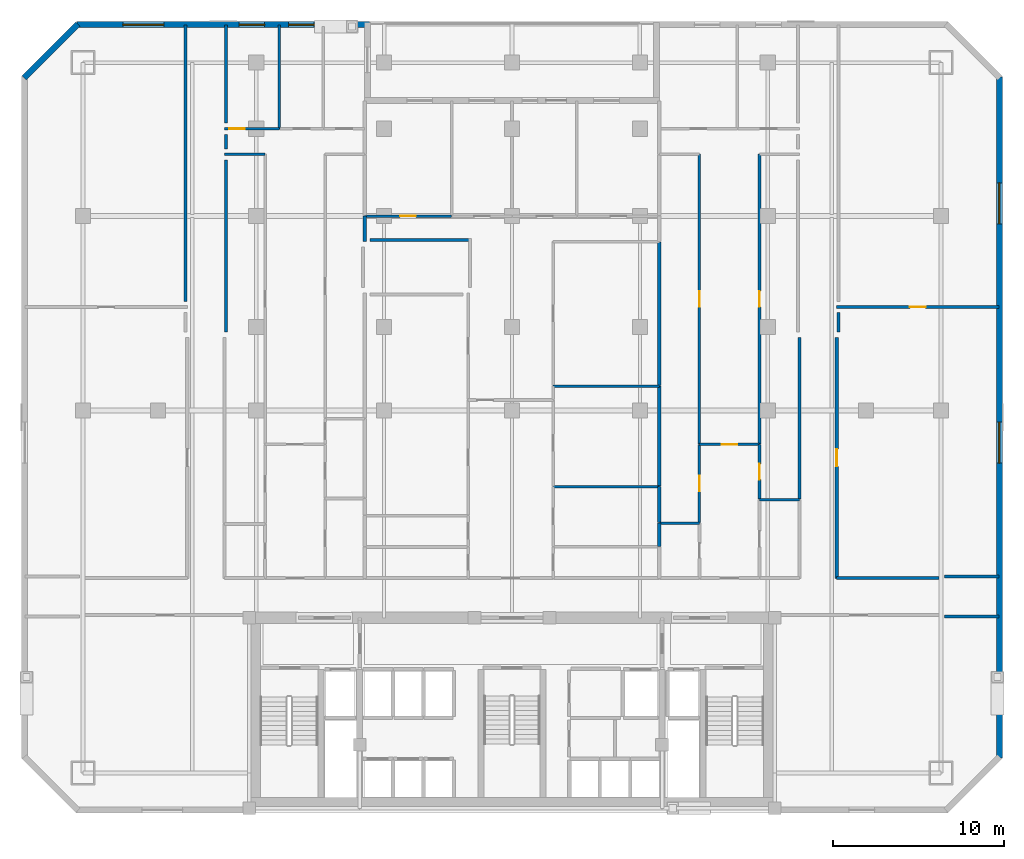
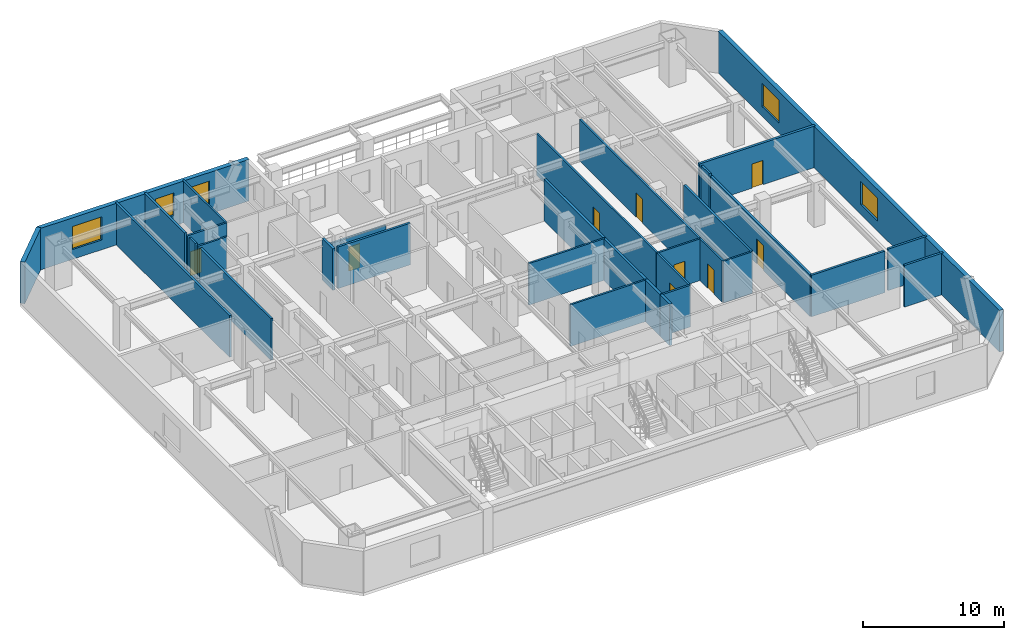
# One storey, part 6 of 9: 33 walls, 9 doors, 5 windows, 14 openings.
"""IFC4 building model written with IfcOpenShell, lengths in metres."""

from ifc_helpers import new_model, si_unit, direction, frame, frame_2d, origin, place, context, subcontext, project, spatial, rectangle, extrude, material, layer, layer_set, type_object, element, fill, save


model = new_model("IFC4")

# Units and contexts
model_context = context("Model", 3, precision=1e-05, world=origin(), true_north=direction((0.0, 1.0)))
body_context = subcontext(model_context, "Body", "Model", "MODEL_VIEW")
ifc_project = project(units=[si_unit("LENGTHUNIT", "METRE"), si_unit("AREAUNIT", "SQUARE_METRE"), si_unit("VOLUMEUNIT", "CUBIC_METRE"), si_unit("PLANEANGLEUNIT", "RADIAN"), si_unit("MASSUNIT", "GRAM", prefix="KILO")], contexts=[model_context])

# Site, building, storey
site_placement = place(None, origin())
site = spatial("IfcSite", under=ifc_project, at=site_placement, CompositionType="ELEMENT")
building_placement = place(site_placement, origin())
building = spatial("IfcBuilding", under=site, at=building_placement, Name="Ventersveld Concourse Tower", CompositionType="ELEMENT")
storey_placement = place(building_placement, frame((0.0, 0.0, 68.300048828125)))
storey = spatial("IfcBuildingStorey", under=building, at=storey_placement, Name="L16", CompositionType="ELEMENT", Elevation=68.300048828125)

# Wall, opening, door
ifc_material_1 = material(Name="Fire-rated autoclaved aerated masonry blockwork", Category="masonry")
ifc_layer_1 = layer(ifc_material_1, 0.179931640625)
ifc_layer_set_1 = layer_set([ifc_layer_1], Name="Fire-rated autoclaved aerated masonry blockwork")
wall_type_1 = type_object("IfcWallType", Name="WL-CORR-180", PredefinedType="PARTITIONING", material=ifc_layer_set_1)
wall_1_placement = place(storey_placement, frame((47.7900390625, 13.764892578125, 0.0), z_axis=(0.0, 0.0, 1.0), x_axis=(0.0, 1.0, 0.0)))
wall_1 = element("IfcWall", 1, at=wall_1_placement, inside=storey, type_object=wall_type_1, Name="L16 Interior Partition SP-L16-COR-SP-L16-NELNG1", PredefinedType="PARTITIONING", context=body_context, shape_type="SweptSolid", body=[
    extrude(rectangle(XDim=14.130126953125, YDim=0.179931640625, at=frame_2d((7.06494140625, 0.0))), origin(), (0.0, 0.0, 1.0), 3.599853515625),
])
opening_1_placement = place(wall_1_placement, frame((6.56494140625, 0.0, 0.0)))
opening_1 = element("IfcOpeningElement", 2, at=opening_1_placement, cuts=wall_1, Name="Opening FD3", PredefinedType="OPENING", context=body_context, shape_type="SweptSolid", body=[
    extrude(rectangle(XDim=1.0, YDim=2.14990234375, at=frame_2d((0.5, 1.074951171875))), frame((0.0, 0.10009765625, 0.0), z_axis=(0.0, -1.0, 0.0), x_axis=(1.0, 0.0, 0.0)), (0.0, 0.0, 1.0), 0.199951171875),
])
ifc_material_2 = material(Name="Solid-core hardwood veneer timber", Category="wood")
door_type_1 = type_object("IfcDoorType", Name="DR-FLAT-100", OperationType="NOTDEFINED", PredefinedType="DOOR", material=ifc_material_2)
door_1_placement = place(opening_1_placement, origin())
door_1 = element("IfcDoor", 3, at=door_1_placement, inside=storey, type_object=door_type_1, Name="L16 Interior Door SP-L16-COR to SP-L16-NELNG1 (D-L16-0728)", OperationType="SINGLE_SWING_RIGHT", OverallHeight=2.14990234375, OverallWidth=1.0, PredefinedType="DOOR", context=body_context, shape_type="SweptSolid", body=[
    extrude(rectangle(XDim=1.0, YDim=2.14990234375, at=frame_2d((0.5, 1.074951171875))), frame((0.0, 0.02490234375, 0.0), z_axis=(0.0, -1.0, 0.0), x_axis=(1.0, 0.0, 0.0)), (0.0, 0.0, 1.0), 0.050048828125),
])
fill(opening_1, door_1)

# Walls
wall_2_placement = place(storey_placement, frame((47.784912109375, 13.77001953125, 0.0), z_axis=(0.0, 0.0, 1.0), x_axis=(1.0, 0.0, 0.0)))
element("IfcWall", 4, at=wall_2_placement, inside=storey, type_object=wall_type_1, Name="L16 Interior Partition SP-L16-COR-SP-L16-NELNG1", PredefinedType="PARTITIONING", context=body_context, shape_type="SweptSolid", body=[
    extrude(rectangle(XDim=6.010009765625, YDim=0.179931640625, at=frame_2d((3.0048828125, 0.0))), origin(), (0.0, 0.0, 1.0), 3.599853515625),
])
wall_3_placement = place(storey_placement, frame((45.610107421875, 18.4072265625, 0.0), z_axis=(0.0, 0.0, 1.0), x_axis=(0.0, 1.0, 0.0)))
element("IfcWall", 5, at=wall_3_placement, inside=storey, type_object=wall_type_1, Name="L16 Interior Partition SP-L16-COR-SP-L16-16CE-SEMR1", PredefinedType="PARTITIONING", context=body_context, shape_type="SweptSolid", body=[
    extrude(rectangle(XDim=9.48779296875, YDim=0.179931640625, at=frame_2d((4.743896484375, 0.0))), origin(), (0.0, 0.0, 1.0), 3.599853515625),
])
wall_4_placement = place(storey_placement, frame((54.1123046875, 11.52001953125, 0.0), z_axis=(0.0, 0.0, 1.0), x_axis=(1.0, 0.0, 0.0)))
element("IfcWall", 6, at=wall_4_placement, inside=storey, type_object=wall_type_1, Name="L16 Room Enclosure Wall SP-L16-SE-OFF", PredefinedType="PARTITIONING", context=body_context, shape_type="SweptSolid", body=[
    extrude(rectangle(XDim=3.177734375, YDim=0.179931640625, at=frame_2d((1.5888671875, 0.0))), origin(), (0.0, 0.0, 1.0), 3.599853515625),
])
wall_5_placement = place(storey_placement, frame((9.6201171875, 46.18994140625, 0.0), z_axis=(0.0, 0.0, 1.0), x_axis=(0.0, -1.0, 0.0)))
element("IfcWall", 7, at=wall_5_placement, inside=storey, type_object=wall_type_1, Name="L16 Room Enclosure Wall SP-L16-NWLNG2", PredefinedType="PARTITIONING", context=body_context, shape_type="SweptSolid", body=[
    extrude(rectangle(XDim=16.19482421875, YDim=0.179931640625, at=frame_2d((8.097412109375, 0.0))), origin(), (0.0, 0.0, 1.0), 3.599853515625),
])
wall_6_placement = place(storey_placement, frame((47.8798828125, 28.2099609375, 0.0), z_axis=(0.0, 0.0, 1.0), x_axis=(0.0, 1.0, 0.0)))
element("IfcWall", 8, at=wall_6_placement, inside=storey, type_object=wall_type_1, Name="L16 Room Enclosure Wall SP-L16-NELNG1", PredefinedType="PARTITIONING", context=body_context, shape_type="SweptSolid", body=[
    extrude(rectangle(XDim=1.135009765625, YDim=0.179931640625, at=frame_2d((0.5673828125, 0.0))), origin(), (0.0, 0.0, 1.0), 3.599853515625),
])
wall_7_placement = place(storey_placement, frame((57.2900390625, 13.860107421875, 0.0), z_axis=(0.0, 0.0, 1.0), x_axis=(-1.0, 0.0, 0.0)))
element("IfcWall", 9, at=wall_7_placement, inside=storey, type_object=wall_type_1, Name="L16 Room Enclosure Wall SP-L16-NELNG1", PredefinedType="PARTITIONING", context=body_context, shape_type="SweptSolid", body=[
    extrude(rectangle(XDim=3.18017578125, YDim=0.179931640625, at=frame_2d((1.590087890625, 0.0))), origin(), (0.0, 0.0, 1.0), 3.599853515625),
])
wall_8_placement = place(storey_placement, frame((11.97998046875, 38.945068359375, 0.0), z_axis=(0.0, 0.0, 1.0), x_axis=(0.0, 1.0, 0.0)))
element("IfcWall", 10, at=wall_8_placement, inside=storey, type_object=wall_type_1, Name="L16 Room Enclosure Wall SP-L16-16CW-LIV", PredefinedType="PARTITIONING", context=body_context, shape_type="SweptSolid", body=[
    extrude(rectangle(XDim=0.849853515625, YDim=0.179931640625, at=frame_2d((0.4248046875, 0.0))), origin(), (0.0, 0.0, 1.0), 3.599853515625),
])
wall_9_placement = place(storey_placement, frame((11.97998046875, 28.2099609375, 0.0), z_axis=(0.0, 0.0, 1.0), x_axis=(0.0, 1.0, 0.0)))
element("IfcWall", 11, at=wall_9_placement, inside=storey, type_object=wall_type_1, Name="L16 Room Enclosure Wall SP-L16-16CW-OFFL0", PredefinedType="PARTITIONING", context=body_context, shape_type="SweptSolid", body=[
    extrude(rectangle(XDim=10.0849609375, YDim=0.179931640625, at=frame_2d((5.04248046875, 0.0))), origin(), (0.0, 0.0, 1.0), 3.599853515625),
])
wall_10_placement = place(storey_placement, frame((11.97998046875, 40.445068359375, 0.0), z_axis=(0.0, 0.0, 1.0), x_axis=(0.0, 1.0, 0.0)))
element("IfcWall", 12, at=wall_10_placement, inside=storey, type_object=wall_type_1, Name="L16 Room Enclosure Wall SP-L16-16CW-BR1", PredefinedType="PARTITIONING", context=body_context, shape_type="SweptSolid", body=[
    extrude(rectangle(XDim=5.744873046875, YDim=0.179931640625, at=frame_2d((2.87255859375, 0.0))), origin(), (0.0, 0.0, 1.0), 3.599853515625),
])
wall_11_placement = place(storey_placement, frame((26.373779296875, 33.590087890625, 0.0), z_axis=(0.0, 0.0, 1.0), x_axis=(-1.0, 0.0, 0.0)))
element("IfcWall", 13, at=wall_11_placement, inside=storey, type_object=wall_type_1, Name="L16 Room Enclosure Wall SP-L16-16CM-LIV", PredefinedType="PARTITIONING", context=body_context, shape_type="SweptSolid", body=[
    extrude(rectangle(XDim=5.938720703125, YDim=0.179931640625, at=frame_2d((2.96923828125, 0.0))), origin(), (0.0, 0.0, 1.0), 3.599853515625),
])

# Wall, opening, door
ifc_layer_2 = layer(ifc_material_1, 0.199951171875)
ifc_layer_set_2 = layer_set([ifc_layer_2], Name="Fire-rated autoclaved aerated masonry blockwork")
wall_type_2 = type_object("IfcWallType", Name="WL-DEMISE-200", PredefinedType="PARTITIONING", material=ifc_layer_set_2)
wall_12_placement = place(storey_placement, frame((47.784912109375, 29.669921875, 0.0), z_axis=(0.0, 0.0, 1.0), x_axis=(1.0, 0.0, 0.0)))
wall_12 = element("IfcWall", 14, at=wall_12_placement, inside=storey, type_object=wall_type_2, Name="L16 Interior Partition SP-L16-NELNG1-SP-L16-NELNG2", PredefinedType="PARTITIONING", context=body_context, shape_type="SweptSolid", body=[
    extrude(rectangle(XDim=9.505126953125, YDim=0.199951171875, at=frame_2d((4.75244140625, 0.0))), origin(), (0.0, 0.0, 1.0), 3.599853515625),
])
opening_2_placement = place(wall_12_placement, frame((4.29248046875, 0.0, 0.0)))
opening_2 = element("IfcOpeningElement", 15, at=opening_2_placement, cuts=wall_12, Name="Opening ID1", PredefinedType="OPENING", context=body_context, shape_type="SweptSolid", body=[
    extrude(rectangle(XDim=0.919921875, YDim=2.10009765625, at=frame_2d((0.4599609375, 1.050048828125))), frame((0.0, 0.10986328125, 0.0), z_axis=(0.0, -1.0, 0.0), x_axis=(1.0, 0.0, 0.0)), (0.0, 0.0, 1.0), 0.219970703125),
])
door_type_2 = type_object("IfcDoorType", Name="DR-ROOM-092", OperationType="NOTDEFINED", PredefinedType="DOOR", material=ifc_material_2)
door_2_placement = place(opening_2_placement, origin())
door_2 = element("IfcDoor", 16, at=door_2_placement, inside=storey, type_object=door_type_2, Name="L16 Interior Door SP-L16-NELNG1 to SP-L16-NELNG2 (D-L16-0733)", OperationType="SINGLE_SWING_LEFT", OverallHeight=2.10009765625, OverallWidth=0.919921875, PredefinedType="DOOR", context=body_context, shape_type="SweptSolid", body=[
    extrude(rectangle(XDim=0.919921875, YDim=2.10009765625, at=frame_2d((0.4599609375, 1.050048828125))), frame((0.0, 0.02490234375, 0.0), z_axis=(0.0, -1.0, 0.0), x_axis=(1.0, 0.0, 0.0)), (0.0, 0.0, 1.0), 0.050048828125),
])
fill(opening_2, door_2)

# Walls
wall_13_placement = place(storey_placement, frame((20.110107421875, 33.4951171875, 0.0), z_axis=(0.0, 0.0, 1.0), x_axis=(0.0, 1.0, 0.0)))
element("IfcWall", 17, at=wall_13_placement, inside=storey, type_object=wall_type_2, Name="L16 Interior Partition SP-L16-16CW-DENR-SP-L16-16CM-LIV", PredefinedType="PARTITIONING", context=body_context, shape_type="SweptSolid", body=[
    extrude(rectangle(XDim=1.509765625, YDim=0.199951171875, at=frame_2d((0.7548828125, 0.0))), origin(), (0.0, 0.0, 1.0), 3.599853515625),
])
wall_14_placement = place(storey_placement, frame((37.389892578125, 15.635009765625, 0.0), z_axis=(0.0, 0.0, 1.0), x_axis=(0.0, 1.0, 0.0)))
element("IfcWall", 18, at=wall_14_placement, inside=storey, type_object=wall_type_2, Name="L16 Interior Partition SP-L16-16CE-BATH-SP-L16-16CM-SEMR1", PredefinedType="PARTITIONING", context=body_context, shape_type="SweptSolid", body=[
    extrude(rectangle(XDim=1.3603515625, YDim=0.199951171875, at=frame_2d((0.68017578125, 0.0))), origin(), (0.0, 0.0, 1.0), 3.599853515625),
])
wall_15_placement = place(storey_placement, frame((37.389892578125, 17.025390625, 0.0), z_axis=(0.0, 0.0, 1.0), x_axis=(0.0, 1.0, 0.0)))
element("IfcWall", 19, at=wall_15_placement, inside=storey, type_object=wall_type_2, Name="L16 Interior Partition SP-L16-16CE-OFFL0-SP-L16-16CM-SEMR1", PredefinedType="PARTITIONING", context=body_context, shape_type="SweptSolid", body=[
    extrude(rectangle(XDim=2.118408203125, YDim=0.199951171875, at=frame_2d((1.05908203125, 0.0))), origin(), (0.0, 0.0, 1.0), 3.599853515625),
])
wall_16_placement = place(storey_placement, frame((37.389892578125, 19.173828125, 0.0), z_axis=(0.0, 0.0, 1.0), x_axis=(0.0, 1.0, 0.0)))
element("IfcWall", 20, at=wall_16_placement, inside=storey, type_object=wall_type_2, Name="L16 Interior Partition SP-L16-16CE-OFFL0-SP-L16-16CM-DENS", PredefinedType="PARTITIONING", context=body_context, shape_type="SweptSolid", body=[
    extrude(rectangle(XDim=5.86328125, YDim=0.199951171875, at=frame_2d((2.931640625, 0.0))), origin(), (0.0, 0.0, 1.0), 3.599853515625),
])
wall_17_placement = place(storey_placement, frame((37.389892578125, 25.067138671875, 0.0), z_axis=(0.0, 0.0, 1.0), x_axis=(0.0, 1.0, 0.0)))
element("IfcWall", 21, at=wall_17_placement, inside=storey, type_object=wall_type_2, Name="L16 Interior Partition SP-L16-16CE-OFFL0-SP-L16-16CM-DENS2", PredefinedType="PARTITIONING", context=body_context, shape_type="SweptSolid", body=[
    extrude(rectangle(XDim=8.39794921875, YDim=0.199951171875, at=frame_2d((4.198974609375, 0.0))), origin(), (0.0, 0.0, 1.0), 3.599853515625),
])
ifc_material_3 = material(Name="Autoclaved aerated masonry blockwork", Category="masonry")
ifc_layer_3 = layer(ifc_material_3, 0.14990234375)
ifc_layer_set_3 = layer_set([ifc_layer_3], Name="Autoclaved aerated masonry blockwork")
wall_type_3 = type_object("IfcWallType", Name="WL-INT-150", PredefinedType="PARTITIONING", material=ifc_layer_set_3)
wall_18_placement = place(storey_placement, frame((11.885009765625, 38.6201171875, 0.0), z_axis=(0.0, 0.0, 1.0), x_axis=(1.0, 0.0, 0.0)))
element("IfcWall", 22, at=wall_18_placement, inside=storey, type_object=wall_type_3, Name="L16 Interior Partition SP-L16-16CW-LIV-SP-L16-16CW-OFFL0", PredefinedType="PARTITIONING", context=body_context, shape_type="SweptSolid", body=[
    extrude(rectangle(XDim=2.394287109375, YDim=0.14990234375, at=frame_2d((1.197265625, 0.0))), origin(), (0.0, 0.0, 1.0), 3.599853515625),
])

# Wall, opening, door
wall_19_placement = place(storey_placement, frame((11.885009765625, 40.1201171875, 0.0), z_axis=(0.0, 0.0, 1.0), x_axis=(1.0, 0.0, 0.0)))
wall_19 = element("IfcWall", 23, at=wall_19_placement, inside=storey, type_object=wall_type_3, Name="L16 Interior Partition SP-L16-16CW-LIV-SP-L16-16CW-BR1", PredefinedType="PARTITIONING", context=body_context, shape_type="SweptSolid", body=[
    extrude(rectangle(XDim=3.22998046875, YDim=0.14990234375, at=frame_2d((1.614990234375, 0.0))), origin(), (0.0, 0.0, 1.0), 3.599853515625),
])
opening_3_placement = place(wall_19_placement, frame((0.280029296875, 0.0, 0.0)))
opening_3 = element("IfcOpeningElement", 24, at=opening_3_placement, cuts=wall_19, Name="Opening ID1", PredefinedType="OPENING", context=body_context, shape_type="SweptSolid", body=[
    extrude(rectangle(XDim=0.919921875, YDim=2.10009765625, at=frame_2d((0.4599609375, 1.050048828125))), frame((0.0, 0.0849609375, 0.0), z_axis=(0.0, -1.0, 0.0), x_axis=(1.0, 0.0, 0.0)), (0.0, 0.0, 1.0), 0.169921875),
])
door_3_placement = place(opening_3_placement, origin())
door_3 = element("IfcDoor", 25, at=door_3_placement, inside=storey, type_object=door_type_2, Name="L16 Interior Door SP-L16-16CW-LIV to SP-L16-16CW-BR1 (D-L16-0742)", OperationType="SINGLE_SWING_RIGHT", OverallHeight=2.10009765625, OverallWidth=0.919921875, PredefinedType="DOOR", context=body_context, shape_type="SweptSolid", body=[
    extrude(rectangle(XDim=0.919921875, YDim=2.10009765625, at=frame_2d((0.4599609375, 1.050048828125))), frame((0.0, 0.02490234375, 0.0), z_axis=(0.0, -1.0, 0.0), x_axis=(1.0, 0.0, 0.0)), (0.0, 0.0, 1.0), 0.050048828125),
])
fill(opening_3, door_3)

# Wall
wall_20_placement = place(storey_placement, frame((15.110107421875, 40.114990234375, 0.0), z_axis=(0.0, 0.0, 1.0), x_axis=(0.0, 1.0, 0.0)))
element("IfcWall", 26, at=wall_20_placement, inside=storey, type_object=wall_type_3, Name="L16 Interior Partition SP-L16-16CW-BR1-SP-L16-16CW-BR2", PredefinedType="PARTITIONING", context=body_context, shape_type="SweptSolid", body=[
    extrude(rectangle(XDim=6.074951171875, YDim=0.14990234375, at=frame_2d((3.03759765625, 0.0))), origin(), (0.0, 0.0, 1.0), 3.599853515625),
])

# Wall, opening, door
wall_21_placement = place(storey_placement, frame((39.73583984375, 21.610107421875, 0.0), z_axis=(0.0, 0.0, 1.0), x_axis=(1.0, 0.0, 0.0)))
wall_21 = element("IfcWall", 27, at=wall_21_placement, inside=storey, type_object=wall_type_3, Name="L16 Interior Partition SP-L16-16CE-FOY-SP-L16-16CE-LIV", PredefinedType="PARTITIONING", context=body_context, shape_type="SweptSolid", body=[
    extrude(rectangle(XDim=3.5283203125, YDim=0.14990234375, at=frame_2d((1.76416015625, 0.0))), origin(), (0.0, 0.0, 1.0), 3.599853515625),
])
opening_4_placement = place(wall_21_placement, frame((1.30419921875, 0.0, 0.0)))
opening_4 = element("IfcOpeningElement", 28, at=opening_4_placement, cuts=wall_21, Name="Opening ID1", PredefinedType="OPENING", context=body_context, shape_type="SweptSolid", body=[
    extrude(rectangle(XDim=0.919921875, YDim=2.10009765625, at=frame_2d((0.4599609375, 1.050048828125))), frame((0.0, 0.0849609375, 0.0), z_axis=(0.0, -1.0, 0.0), x_axis=(1.0, 0.0, 0.0)), (0.0, 0.0, 1.0), 0.169921875),
])
door_4_placement = place(opening_4_placement, origin())
door_4 = element("IfcDoor", 29, at=door_4_placement, inside=storey, type_object=door_type_2, Name="L16 Interior Door SP-L16-16CE-FOY to SP-L16-16CE-LIV (D-L16-0745)", OperationType="SINGLE_SWING_LEFT", OverallHeight=2.10009765625, OverallWidth=0.919921875, PredefinedType="DOOR", context=body_context, shape_type="SweptSolid", body=[
    extrude(rectangle(XDim=0.919921875, YDim=2.10009765625, at=frame_2d((0.4599609375, 1.050048828125))), frame((0.0, 0.02490234375, 0.0), z_axis=(0.0, -1.0, 0.0), x_axis=(1.0, 0.0, 0.0)), (0.0, 0.0, 1.0), 0.050048828125),
])
fill(opening_4, door_4)

wall_22_placement = place(storey_placement, frame((39.74072265625, 17.025390625, 0.0), z_axis=(0.0, 0.0, 1.0), x_axis=(0.0, 1.0, 0.0)))
wall_22 = element("IfcWall", 30, at=wall_22_placement, inside=storey, type_object=wall_type_3, Name="L16 Interior Partition SP-L16-16CE-FOY-SP-L16-16CE-OFFL0", PredefinedType="PARTITIONING", context=body_context, shape_type="SweptSolid", body=[
    extrude(rectangle(XDim=4.589599609375, YDim=0.14990234375, at=frame_2d((2.294921875, 0.0))), origin(), (0.0, 0.0, 1.0), 3.599853515625),
])
opening_5_placement = place(wall_22_placement, frame((1.834716796875, 0.0, 0.0)))
opening_5 = element("IfcOpeningElement", 31, at=opening_5_placement, cuts=wall_22, Name="Opening ID1", PredefinedType="OPENING", context=body_context, shape_type="SweptSolid", body=[
    extrude(rectangle(XDim=0.919921875, YDim=2.10009765625, at=frame_2d((0.4599609375, 1.050048828125))), frame((0.0, 0.0849609375, 0.0), z_axis=(0.0, -1.0, 0.0), x_axis=(1.0, 0.0, 0.0)), (0.0, 0.0, 1.0), 0.169921875),
])
door_5_placement = place(opening_5_placement, origin())
door_5 = element("IfcDoor", 32, at=door_5_placement, inside=storey, type_object=door_type_2, Name="L16 Interior Door SP-L16-16CE-FOY to SP-L16-16CE-OFFL0 (D-L16-0747)", OperationType="SINGLE_SWING_LEFT", OverallHeight=2.10009765625, OverallWidth=0.919921875, PredefinedType="DOOR", context=body_context, shape_type="SweptSolid", body=[
    extrude(rectangle(XDim=0.919921875, YDim=2.10009765625, at=frame_2d((0.4599609375, 1.050048828125))), frame((0.0, 0.02490234375, 0.0), z_axis=(0.0, -1.0, 0.0), x_axis=(1.0, 0.0, 0.0)), (0.0, 0.0, 1.0), 0.050048828125),
])
fill(opening_5, door_5)

wall_23_placement = place(storey_placement, frame((43.25927734375, 18.4072265625, 0.0), z_axis=(0.0, 0.0, 1.0), x_axis=(0.0, 1.0, 0.0)))
wall_23 = element("IfcWall", 33, at=wall_23_placement, inside=storey, type_object=wall_type_3, Name="L16 Interior Partition SP-L16-16CE-FOY-SP-L16-16CE-SEMR1", PredefinedType="PARTITIONING", context=body_context, shape_type="SweptSolid", body=[
    extrude(rectangle(XDim=3.207763671875, YDim=0.14990234375, at=frame_2d((1.60400390625, 0.0))), origin(), (0.0, 0.0, 1.0), 3.599853515625),
])
opening_6_placement = place(wall_23_placement, frame((1.143798828125, 0.0, 0.0)))
opening_6 = element("IfcOpeningElement", 34, at=opening_6_placement, cuts=wall_23, Name="Opening ID1", PredefinedType="OPENING", context=body_context, shape_type="SweptSolid", body=[
    extrude(rectangle(XDim=0.919921875, YDim=2.10009765625, at=frame_2d((0.4599609375, 1.050048828125))), frame((0.0, 0.0849609375, 0.0), z_axis=(0.0, -1.0, 0.0), x_axis=(1.0, 0.0, 0.0)), (0.0, 0.0, 1.0), 0.169921875),
])
door_6_placement = place(opening_6_placement, origin())
door_6 = element("IfcDoor", 35, at=door_6_placement, inside=storey, type_object=door_type_2, Name="L16 Interior Door SP-L16-16CE-FOY to SP-L16-16CE-SEMR1 (D-L16-0749)", OperationType="SINGLE_SWING_LEFT", OverallHeight=2.10009765625, OverallWidth=0.919921875, PredefinedType="DOOR", context=body_context, shape_type="SweptSolid", body=[
    extrude(rectangle(XDim=0.919921875, YDim=2.10009765625, at=frame_2d((0.4599609375, 1.050048828125))), frame((0.0, 0.02490234375, 0.0), z_axis=(0.0, -1.0, 0.0), x_axis=(1.0, 0.0, 0.0)), (0.0, 0.0, 1.0), 0.050048828125),
])
fill(opening_6, door_6)

wall_24_placement = place(storey_placement, frame((39.74072265625, 21.64501953125, 0.0), z_axis=(0.0, 0.0, 1.0), x_axis=(0.0, 1.0, 0.0)))
wall_24 = element("IfcWall", 36, at=wall_24_placement, inside=storey, type_object=wall_type_3, Name="L16 Interior Partition SP-L16-16CE-LIV-SP-L16-16CE-OFFL0", PredefinedType="PARTITIONING", context=body_context, shape_type="SweptSolid", body=[
    extrude(rectangle(XDim=16.97998046875, YDim=0.14990234375, at=frame_2d((8.489990234375, 0.0))), origin(), (0.0, 0.0, 1.0), 3.599853515625),
])
opening_7_placement = place(wall_24_placement, frame((8.030029296875, 0.0, 0.0)))
opening_7 = element("IfcOpeningElement", 37, at=opening_7_placement, cuts=wall_24, Name="Opening ID1", PredefinedType="OPENING", context=body_context, shape_type="SweptSolid", body=[
    extrude(rectangle(XDim=0.919921875, YDim=2.10009765625, at=frame_2d((0.4599609375, 1.050048828125))), frame((0.0, 0.0849609375, 0.0), z_axis=(0.0, -1.0, 0.0), x_axis=(1.0, 0.0, 0.0)), (0.0, 0.0, 1.0), 0.169921875),
])
door_7_placement = place(opening_7_placement, origin())
door_7 = element("IfcDoor", 38, at=door_7_placement, inside=storey, type_object=door_type_2, Name="L16 Interior Door SP-L16-16CE-LIV to SP-L16-16CE-OFFL0 (D-L16-0750)", OperationType="SINGLE_SWING_RIGHT", OverallHeight=2.10009765625, OverallWidth=0.919921875, PredefinedType="DOOR", context=body_context, shape_type="SweptSolid", body=[
    extrude(rectangle(XDim=0.919921875, YDim=2.10009765625, at=frame_2d((0.4599609375, 1.050048828125))), frame((0.0, 0.02490234375, 0.0), z_axis=(0.0, -1.0, 0.0), x_axis=(1.0, 0.0, 0.0)), (0.0, 0.0, 1.0), 0.050048828125),
])
fill(opening_7, door_7)

wall_25_placement = place(storey_placement, frame((43.25927734375, 21.64501953125, 0.0), z_axis=(0.0, 0.0, 1.0), x_axis=(0.0, 1.0, 0.0)))
wall_25 = element("IfcWall", 39, at=wall_25_placement, inside=storey, type_object=wall_type_3, Name="L16 Interior Partition SP-L16-16CE-LIV-SP-L16-16CE-SEMR1", PredefinedType="PARTITIONING", context=body_context, shape_type="SweptSolid", body=[
    extrude(rectangle(XDim=16.97998046875, YDim=0.14990234375, at=frame_2d((8.489990234375, 0.0))), origin(), (0.0, 0.0, 1.0), 3.599853515625),
])
opening_8_placement = place(wall_25_placement, frame((8.030029296875, 0.0, 0.0)))
opening_8 = element("IfcOpeningElement", 40, at=opening_8_placement, cuts=wall_25, Name="Opening ID1", PredefinedType="OPENING", context=body_context, shape_type="SweptSolid", body=[
    extrude(rectangle(XDim=0.919921875, YDim=2.10009765625, at=frame_2d((0.4599609375, 1.050048828125))), frame((0.0, 0.0849609375, 0.0), z_axis=(0.0, -1.0, 0.0), x_axis=(1.0, 0.0, 0.0)), (0.0, 0.0, 1.0), 0.169921875),
])
door_8_placement = place(opening_8_placement, origin())
door_8 = element("IfcDoor", 41, at=door_8_placement, inside=storey, type_object=door_type_2, Name="L16 Interior Door SP-L16-16CE-LIV to SP-L16-16CE-SEMR1 (D-L16-0751)", OperationType="SINGLE_SWING_LEFT", OverallHeight=2.10009765625, OverallWidth=0.919921875, PredefinedType="DOOR", context=body_context, shape_type="SweptSolid", body=[
    extrude(rectangle(XDim=0.919921875, YDim=2.10009765625, at=frame_2d((0.4599609375, 1.050048828125))), frame((0.0, 0.02490234375, 0.0), z_axis=(0.0, -1.0, 0.0), x_axis=(1.0, 0.0, 0.0)), (0.0, 0.0, 1.0), 0.050048828125),
])
fill(opening_8, door_8)

# Wall
wall_26_placement = place(storey_placement, frame((43.254150390625, 18.372314453125, 0.0), z_axis=(0.0, 0.0, 1.0), x_axis=(1.0, 0.0, 0.0)))
element("IfcWall", 42, at=wall_26_placement, inside=storey, type_object=wall_type_3, Name="L16 Interior Partition SP-L16-16CE-KIT-SP-L16-16CE-SEMR1", PredefinedType="PARTITIONING", context=body_context, shape_type="SweptSolid", body=[
    extrude(rectangle(XDim=2.36083984375, YDim=0.14990234375, at=frame_2d((1.180419921875, 0.0))), origin(), (0.0, 0.0, 1.0), 3.599853515625),
])

# Wall, opening, door
wall_27_placement = place(storey_placement, frame((20.10498046875, 35.0, 0.0), z_axis=(0.0, 0.0, 1.0), x_axis=(1.0, 0.0, 0.0)))
wall_27 = element("IfcWall", 43, at=wall_27_placement, inside=storey, type_object=wall_type_3, Name="L16 Interior Partition SP-L16-16CM-LIV-SP-L16-16CM-BR1", PredefinedType="PARTITIONING", context=body_context, shape_type="SweptSolid", body=[
    extrude(rectangle(XDim=5.106201171875, YDim=0.14990234375, at=frame_2d((2.55322265625, 0.0))), origin(), (0.0, 0.0, 1.0), 2.964111328125),
])
opening_9_placement = place(wall_27_placement, frame((2.09326171875, 0.0, 0.0)))
opening_9 = element("IfcOpeningElement", 44, at=opening_9_placement, cuts=wall_27, Name="Opening ID1", PredefinedType="OPENING", context=body_context, shape_type="SweptSolid", body=[
    extrude(rectangle(XDim=0.919921875, YDim=2.10009765625, at=frame_2d((0.4599609375, 1.050048828125))), frame((0.0, 0.0849609375, 0.0), z_axis=(0.0, -1.0, 0.0), x_axis=(1.0, 0.0, 0.0)), (0.0, 0.0, 1.0), 0.169921875),
])
door_9_placement = place(opening_9_placement, origin())
door_9 = element("IfcDoor", 45, at=door_9_placement, inside=storey, type_object=door_type_2, Name="L16 Interior Door SP-L16-16CM-LIV to SP-L16-16CM-BR1 (D-L16-0763)", OperationType="SINGLE_SWING_LEFT", OverallHeight=2.10009765625, OverallWidth=0.919921875, PredefinedType="DOOR", context=body_context, shape_type="SweptSolid", body=[
    extrude(rectangle(XDim=0.919921875, YDim=2.10009765625, at=frame_2d((0.4599609375, 1.050048828125))), frame((0.0, 0.02490234375, 0.0), z_axis=(0.0, -1.0, 0.0), x_axis=(1.0, 0.0, 0.0)), (0.0, 0.0, 1.0), 0.050048828125),
])
fill(opening_9, door_9)

# Walls
for number, where, z_axis, x_axis, name in (
    (46, (31.163818359375, 19.138916015625, 0.0), (0.0, 0.0, 1.0), (1.0, 0.0, 0.0), "L16 Interior Partition SP-L16-16CM-SEMR1-SP-L16-16CM-DENS"),
    (47, (31.163818359375, 25.0322265625, 0.0), (0.0, 0.0, 1.0), (1.0, 0.0, 0.0), "L16 Interior Partition SP-L16-16CM-DENS-SP-L16-16CM-DENS2"),
):
    element("IfcWall", number, at=place(storey_placement, frame(where, z_axis=z_axis, x_axis=x_axis)), inside=storey, type_object=wall_type_3, Name=name, PredefinedType="PARTITIONING", context=body_context, shape_type="SweptSolid", body=[
        extrude(rectangle(XDim=6.231201171875, YDim=0.14990234375, at=frame_2d((3.11572265625, 0.0))), origin(), (0.0, 0.0, 1.0), 3.599853515625),
    ])

# Wall, openings, windows
ifc_material_4 = material(Name="Precast concrete C45/55", Category="concrete")
ifc_layer_4 = layer(ifc_material_4, 0.35009765625)
ifc_layer_set_4 = layer_set([ifc_layer_4], Name="Precast concrete C45/55")
wall_type_4 = type_object("IfcWallType", Name="WL-PREC-350", PredefinedType="SOLIDWALL", material=ifc_layer_set_4)
wall_28_placement = place(storey_placement, frame((57.324951171875, 3.239990234375, 0.0), z_axis=(0.0, 0.0, 1.0), x_axis=(0.0, 1.0, 0.0)))
wall_28 = element("IfcWall", 48, at=wall_28_placement, inside=storey, type_object=wall_type_4, Name="L16 Highveld Precast Facade Wall E03", PredefinedType="SOLIDWALL", context=body_context, shape_type="SweptSolid", body=[
    extrude(rectangle(XDim=39.919921875, YDim=0.35009765625, at=frame_2d((19.9599609375, 0.0))), origin(), (0.0, 0.0, 1.0), 3.599853515625),
])
opening_10_placement = place(wall_28_placement, frame((17.280029296875, 0.0, 0.85009765625)))
opening_10 = element("IfcOpeningElement", 49, at=opening_10_placement, cuts=wall_28, Name="Opening W5", PredefinedType="OPENING", context=body_context, shape_type="SweptSolid", body=[
    extrude(rectangle(XDim=2.39990234375, YDim=2.0, at=frame_2d((1.199951171875, 1.0))), frame((0.0, 0.18505859375, 0.0), z_axis=(0.0, -1.0, 0.0), x_axis=(1.0, 0.0, 0.0)), (0.0, 0.0, 1.0), 0.3701171875),
])
opening_11_placement = place(wall_28_placement, frame((31.3076171875, 0.0, 0.85009765625)))
opening_11 = element("IfcOpeningElement", 50, at=opening_11_placement, cuts=wall_28, Name="Opening W5", PredefinedType="OPENING", context=body_context, shape_type="SweptSolid", body=[
    extrude(rectangle(XDim=2.39990234375, YDim=2.0, at=frame_2d((1.199951171875, 1.0))), frame((0.0, 0.18505859375, 0.0), z_axis=(0.0, -1.0, 0.0), x_axis=(1.0, 0.0, 0.0)), (0.0, 0.0, 1.0), 0.3701171875),
])
ifc_material_5 = material(Name="Tempered acoustic Low-E IGU", Category="glass")
window_type_1 = type_object("IfcWindowType", Name="WIN-240x210", PartitioningType="SINGLE_PANEL", PredefinedType="WINDOW", material=ifc_material_5)
window_1_placement = place(opening_10_placement, origin())
window_1 = element("IfcWindow", 51, at=window_1_placement, inside=storey, type_object=window_type_1, Name="L16 Punched Low-E Window W-0148", OverallHeight=2.0, OverallWidth=2.39990234375, PartitioningType="SINGLE_PANEL", PredefinedType="WINDOW", context=body_context, shape_type="SweptSolid", body=[
    extrude(rectangle(XDim=2.39990234375, YDim=2.0, at=frame_2d((1.199951171875, 1.0))), frame((0.0, 0.030029296875, 0.0), z_axis=(0.0, -1.0, 0.0), x_axis=(1.0, 0.0, 0.0)), (0.0, 0.0, 1.0), 0.06005859375),
])
fill(opening_10, window_1)
window_2_placement = place(opening_11_placement, origin())
window_2 = element("IfcWindow", 52, at=window_2_placement, inside=storey, type_object=window_type_1, Name="L16 Punched Low-E Window W-0149", OverallHeight=2.0, OverallWidth=2.39990234375, PartitioningType="SINGLE_PANEL", PredefinedType="WINDOW", context=body_context, shape_type="SweptSolid", body=[
    extrude(rectangle(XDim=2.39990234375, YDim=2.0, at=frame_2d((1.199951171875, 1.0))), frame((0.0, 0.030029296875, 0.0), z_axis=(0.0, -1.0, 0.0), x_axis=(1.0, 0.0, 0.0)), (0.0, 0.0, 1.0), 0.06005859375),
])
fill(opening_11, window_2)

wall_29_placement = place(storey_placement, frame((20.409912109375, 46.22509765625, 0.0), z_axis=(0.0, 0.0, 1.0), x_axis=(-1.0, 0.0, 0.0)))
wall_29 = element("IfcWall", 53, at=wall_29_placement, inside=storey, type_object=wall_type_4, Name="L16 Highveld Precast Facade Wall E09", PredefinedType="SOLIDWALL", context=body_context, shape_type="SweptSolid", body=[
    extrude(rectangle(XDim=17.169921875, YDim=0.35009765625, at=frame_2d((8.5849609375, 0.0))), origin(), (0.0, 0.0, 1.0), 3.599853515625),
])
opening_12_placement = place(wall_29_placement, frame((12.0673828125, 0.0, 0.85009765625)))
opening_12 = element("IfcOpeningElement", 54, at=opening_12_placement, cuts=wall_29, Name="Opening W5", PredefinedType="OPENING", context=body_context, shape_type="SweptSolid", body=[
    extrude(rectangle(XDim=2.39990234375, YDim=2.0, at=frame_2d((1.199951171875, 1.0))), frame((0.0, 0.18505859375, 0.0), z_axis=(0.0, -1.0, 0.0), x_axis=(1.0, 0.0, 0.0)), (0.0, 0.0, 1.0), 0.3701171875),
])
opening_13_placement = place(wall_29_placement, frame((6.159912109375, 0.0, 0.89990234375)))
opening_13 = element("IfcOpeningElement", 55, at=opening_13_placement, cuts=wall_29, Name="Opening W1", PredefinedType="OPENING", context=body_context, shape_type="SweptSolid", body=[
    extrude(rectangle(XDim=1.5, YDim=1.949951171875, at=frame_2d((0.75, 0.97509765625))), frame((0.0, 0.18505859375, 0.0), z_axis=(0.0, -1.0, 0.0), x_axis=(1.0, 0.0, 0.0)), (0.0, 0.0, 1.0), 0.3701171875),
])
opening_14_placement = place(wall_29_placement, frame((3.260009765625, 0.0, 0.89990234375)))
opening_14 = element("IfcOpeningElement", 56, at=opening_14_placement, cuts=wall_29, Name="Opening W1", PredefinedType="OPENING", context=body_context, shape_type="SweptSolid", body=[
    extrude(rectangle(XDim=1.5, YDim=1.949951171875, at=frame_2d((0.75, 0.97509765625))), frame((0.0, 0.18505859375, 0.0), z_axis=(0.0, -1.0, 0.0), x_axis=(1.0, 0.0, 0.0)), (0.0, 0.0, 1.0), 0.3701171875),
])
window_type_2 = type_object("IfcWindowType", Name="WIN-150x210", PartitioningType="SINGLE_PANEL", PredefinedType="WINDOW", material=ifc_material_5)
window_3_placement = place(opening_13_placement, origin())
window_3 = element("IfcWindow", 57, at=window_3_placement, inside=storey, type_object=window_type_2, Name="L16 Punched Low-E Window W-0150", OverallHeight=1.949951171875, OverallWidth=1.5, PartitioningType="SINGLE_PANEL", PredefinedType="WINDOW", context=body_context, shape_type="SweptSolid", body=[
    extrude(rectangle(XDim=1.5, YDim=1.949951171875, at=frame_2d((0.75, 0.97509765625))), frame((0.0, 0.030029296875, 0.0), z_axis=(0.0, -1.0, 0.0), x_axis=(1.0, 0.0, 0.0)), (0.0, 0.0, 1.0), 0.06005859375),
])
fill(opening_13, window_3)
window_4_placement = place(opening_14_placement, origin())
window_4 = element("IfcWindow", 58, at=window_4_placement, inside=storey, type_object=window_type_2, Name="L16 Punched Low-E Window W-0151", OverallHeight=1.949951171875, OverallWidth=1.5, PartitioningType="SINGLE_PANEL", PredefinedType="WINDOW", context=body_context, shape_type="SweptSolid", body=[
    extrude(rectangle(XDim=1.5, YDim=1.949951171875, at=frame_2d((0.75, 0.97509765625))), frame((0.0, 0.030029296875, 0.0), z_axis=(0.0, -1.0, 0.0), x_axis=(1.0, 0.0, 0.0)), (0.0, 0.0, 1.0), 0.06005859375),
])
fill(opening_14, window_4)
window_5_placement = place(opening_12_placement, origin())
window_5 = element("IfcWindow", 59, at=window_5_placement, inside=storey, type_object=window_type_1, Name="L16 Punched Low-E Window W-0147", OverallHeight=2.0, OverallWidth=2.39990234375, PartitioningType="SINGLE_PANEL", PredefinedType="WINDOW", context=body_context, shape_type="SweptSolid", body=[
    extrude(rectangle(XDim=2.39990234375, YDim=2.0, at=frame_2d((1.199951171875, 1.0))), frame((0.0, 0.030029296875, 0.0), z_axis=(0.0, -1.0, 0.0), x_axis=(1.0, 0.0, 0.0)), (0.0, 0.0, 1.0), 0.06005859375),
])
fill(opening_12, window_5)

# Walls
wall_30_placement = place(storey_placement, frame((3.29541015625, 46.248046875, 0.0), z_axis=(0.0, 0.0, 1.0), x_axis=(-0.707079321262, -0.707134240044, 0.0)))
element("IfcWall", 60, at=wall_30_placement, inside=storey, type_object=wall_type_4, Name="L16 Highveld Precast Facade Wall E10", PredefinedType="SOLIDWALL", context=body_context, shape_type="SweptSolid", body=[
    extrude(rectangle(XDim=4.445556640625, YDim=0.35009765625, at=frame_2d((2.22265625, 0.0))), origin(), (0.0, 0.0, 1.0), 3.599853515625),
])
ifc_layer_5 = layer(ifc_material_3, 0.1650390625)
ifc_layer_set_5 = layer_set([ifc_layer_5], Name="Autoclaved aerated masonry blockwork")
wall_type_5 = type_object("IfcWallType", Name="WL-WET-165", PredefinedType="PLUMBINGWALL", material=ifc_layer_set_5)
wall_31_placement = place(storey_placement, frame((37.385009765625, 16.990478515625, 0.0), z_axis=(0.0, 0.0, 1.0), x_axis=(1.0, 0.0, 0.0)))
element("IfcWall", 61, at=wall_31_placement, inside=storey, type_object=wall_type_5, Name="L16 Interior Partition SP-L16-16CE-BATH-SP-L16-16CE-OFFL0", PredefinedType="PLUMBINGWALL", context=body_context, shape_type="SweptSolid", body=[
    extrude(rectangle(XDim=2.36083984375, YDim=0.1650390625, at=frame_2d((1.180419921875, 0.0))), origin(), (0.0, 0.0, 1.0), 3.599853515625),
])

save(model, "model.ifc")
